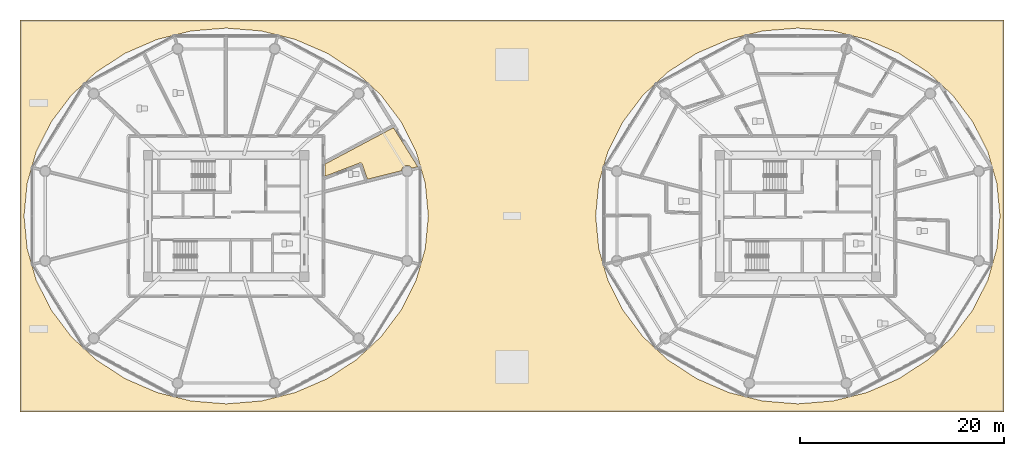
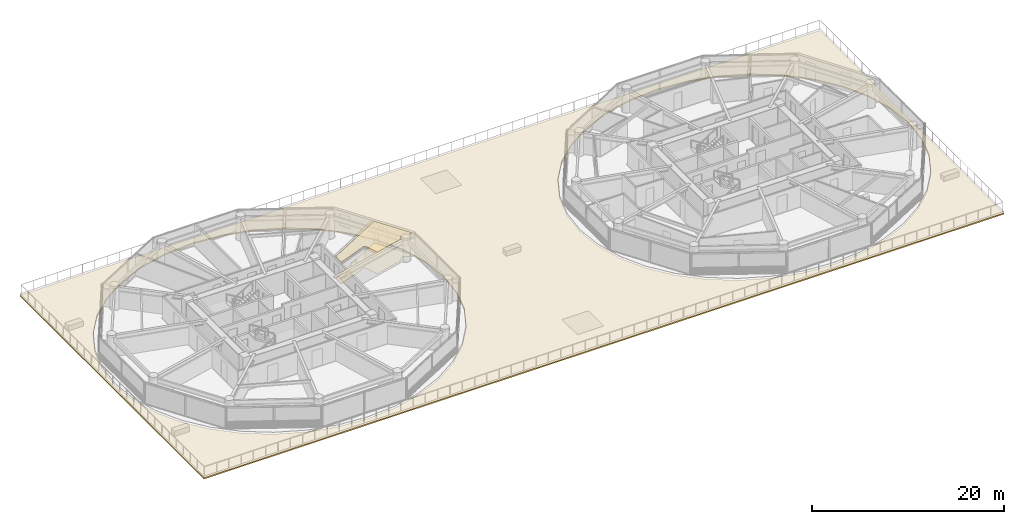
# One storey, part 25 of 32: 3 coverings.
"""IFC4 building model written with IfcOpenShell, lengths in metres."""

from ifc_helpers import new_model, si_unit, direction, frame, origin, place, context, subcontext, project, spatial, polyline, outline, extrude, material, layer, layer_set, type_object, element, save


model = new_model("IFC4")

# Units and contexts
model_context = context("Model", 3, precision=1e-05, world=origin(), true_north=direction((0.0, 1.0)))
body_context = subcontext(model_context, "Body", "Model", "MODEL_VIEW")
ifc_project = project(units=[si_unit("LENGTHUNIT", "METRE"), si_unit("AREAUNIT", "SQUARE_METRE"), si_unit("VOLUMEUNIT", "CUBIC_METRE"), si_unit("PLANEANGLEUNIT", "RADIAN"), si_unit("MASSUNIT", "GRAM", prefix="KILO")], contexts=[model_context])

# Site, building, storey
site_placement = place(None, origin())
site = spatial("IfcSite", under=ifc_project, at=site_placement, CompositionType="ELEMENT")
building_placement = place(site_placement, origin())
building = spatial("IfcBuilding", under=site, at=building_placement, Name="Norrkilde Senior Care Towers", CompositionType="ELEMENT")
storey_placement = place(building_placement, frame((0.0, 0.0, 21.60009765625)))
storey = spatial("IfcBuildingStorey", under=building, at=storey_placement, Name="L05", CompositionType="ELEMENT", Elevation=21.60009765625)

# Coverings
ifc_material_1 = material(Name="Nordic Ash Timber", Category="wood")
ifc_layer_1 = layer(ifc_material_1, 0.044921875)
ifc_layer_set_1 = layer_set([ifc_layer_1], Name="Nordic Ash Timber")
covering_type_1 = type_object("IfcCoveringType", Name="Acoustic Ash Timber Slatted Ceiling 45", PredefinedType="CEILING", material=ifc_layer_set_1)
covering_1_placement = place(storey_placement, frame((0.0, 0.0, 2.744873046875)))
element("IfcCovering", 1, at=covering_1_placement, inside=storey, type_object=covering_type_1, Name="L05 Suspended Ceiling 0137", PredefinedType="CEILING", context=body_context, shape_type="SweptSolid", body=[
    extrude(outline(polyline([(-14.689453125, 5.11279296875), (-14.693359375, 5.11865234375), (-14.700439453125, 5.12841796875), (-14.704833984375, 5.1337890625), (-14.712890625, 5.142822265625), (-14.7177734375, 5.147705078125), (-14.726806640625, 5.15576171875), (-14.732177734375, 5.16015625), (-14.74169921875, 5.167236328125), (-14.74755859375, 5.171142578125), (-14.7578125, 5.17724609375), (-14.76416015625, 5.1806640625), (-14.77490234375, 5.185791015625), (-14.781494140625, 5.188232421875), (-14.792724609375, 5.1923828125), (-14.799560546875, 5.1943359375), (-14.811279296875, 5.197021484375), (-14.818115234375, 5.198486328125), (-14.830078125, 5.199951171875), (-14.8369140625, 5.20068359375), (-14.848876953125, 5.200927734375), (-14.85595703125, 5.200927734375), (-14.867919921875, 5.2001953125), (-14.874755859375, 5.199462890625), (-14.88671875, 5.197509765625), (-14.8935546875, 5.196044921875), (-14.905029296875, 5.19287109375), (-14.911865234375, 5.190673828125), (-14.91748046875, 5.188720703125), (-18.300048828125, 3.899658203125), (-18.300048828125, 5.093017578125), (-18.240234375, 5.125244140625), (-11.614501953125, 8.65234375), (-9.236083984375, 4.826171875), (-9.80859375, 4.6826171875), (-9.8828125, 4.779541015625), (-9.997802734375, 4.86767578125), (-10.131591796875, 4.923095703125), (-10.275146484375, 4.94189453125), (-10.4189453125, 4.923095703125), (-10.552734375, 4.86767578125), (-10.667724609375, 4.779541015625), (-10.755859375, 4.66455078125), (-10.811279296875, 4.530517578125), (-10.824951171875, 4.427978515625), (-14.156982421875, 3.593017578125), (-14.67041015625, 5.0732421875), (-14.67236328125, 5.0791015625), (-14.675048828125, 5.08544921875), (-14.68017578125, 5.096435546875), (-14.683349609375, 5.1025390625), (-14.689453125, 5.11279296875)])), origin(), (0.0, 0.0, 1.0), 0.044921875),
])
ifc_material_2 = material(Name="EPDM Waterproofing and PIR Insulation")
ifc_layer_2 = layer(ifc_material_2, 0.159912109375)
ifc_layer_set_2 = layer_set([ifc_layer_2], Name="EPDM Waterproofing and PIR Insulation")
covering_type_2 = type_object("IfcCoveringType", Name="Insulated EPDM Roof Membrane 160", PredefinedType="ROOFING", material=ifc_layer_set_2)
covering_2_placement = place(storey_placement, frame((0.0, 0.0, -0.39013671875)))
element("IfcCovering", 2, at=covering_2_placement, inside=storey, type_object=covering_type_2, Name="L05 Podium Garden Waterproof Membrane 1", PredefinedType="ROOFING", context=body_context, shape_type="SweptSolid", body=[
    extrude(outline(polyline([(-48.199951171875, -19.199951171875), (-48.199951171875, 19.199951171875), (48.199951171875, 19.199951171875), (48.199951171875, -19.199951171875), (-48.199951171875, -19.199951171875)]), holes=[polyline([(-8.49609375, -3.196533203125), (-8.495849609375, -3.196044921875), (-8.495849609375, -3.195556640625), (-8.195068359375, -0.00048828125), (-8.195068359375, 0.0), (-8.195068359375, 0.00048828125), (-8.495849609375, 3.195556640625), (-8.495849609375, 3.196044921875), (-8.49609375, 3.196533203125), (-9.38916015625, 6.294677734375), (-9.389404296875, 6.294921875), (-9.3896484375, 6.29541015625), (-10.84814453125, 9.2021484375), (-10.848388671875, 9.20263671875), (-10.8486328125, 9.203125), (-12.828369140625, 11.830322265625), (-12.82861328125, 11.83056640625), (-12.828857421875, 11.8310546875), (-15.269287109375, 14.098876953125), (-15.269775390625, 14.09912109375), (-15.27001953125, 14.099365234375), (-18.09716796875, 15.93896484375), (-18.09765625, 15.939208984375), (-18.097900390625, 15.939453125), (-21.22607421875, 17.294921875), (-21.226318359375, 17.295166015625), (-21.226806640625, 17.295166015625), (-24.560546875, 18.125244140625), (-24.56103515625, 18.12548828125), (-24.561279296875, 18.12548828125), (-27.99951171875, 18.405029296875), (-28.0, 18.405029296875), (-28.00048828125, 18.405029296875), (-31.438720703125, 18.12548828125), (-31.43896484375, 18.12548828125), (-31.439453125, 18.125244140625), (-34.773193359375, 17.295166015625), (-34.773681640625, 17.295166015625), (-34.77392578125, 17.294921875), (-37.902099609375, 15.939453125), (-37.90234375, 15.939208984375), (-37.90283203125, 15.93896484375), (-40.72998046875, 14.099365234375), (-40.730224609375, 14.09912109375), (-40.730712890625, 14.098876953125), (-43.171142578125, 11.8310546875), (-43.17138671875, 11.83056640625), (-43.171630859375, 11.830322265625), (-45.1513671875, 9.203125), (-45.151611328125, 9.20263671875), (-45.15185546875, 9.2021484375), (-46.6103515625, 6.29541015625), (-46.610595703125, 6.294921875), (-46.61083984375, 6.294677734375), (-47.50390625, 3.196533203125), (-47.504150390625, 3.196044921875), (-47.504150390625, 3.195556640625), (-47.804931640625, 0.00048828125), (-47.804931640625, 0.0), (-47.804931640625, -0.00048828125), (-47.504150390625, -3.195556640625), (-47.504150390625, -3.196044921875), (-47.50390625, -3.196533203125), (-46.61083984375, -6.294677734375), (-46.610595703125, -6.294921875), (-46.6103515625, -6.29541015625), (-45.15185546875, -9.2021484375), (-45.151611328125, -9.20263671875), (-45.1513671875, -9.203125), (-43.171630859375, -11.830322265625), (-43.17138671875, -11.83056640625), (-43.171142578125, -11.8310546875), (-40.730712890625, -14.098876953125), (-40.730224609375, -14.09912109375), (-40.72998046875, -14.099365234375), (-37.90283203125, -15.93896484375), (-37.90234375, -15.939208984375), (-37.902099609375, -15.939453125), (-34.77392578125, -17.294921875), (-34.773681640625, -17.295166015625), (-34.773193359375, -17.295166015625), (-31.439453125, -18.125244140625), (-31.43896484375, -18.12548828125), (-31.438720703125, -18.12548828125), (-28.00048828125, -18.405029296875), (-28.0, -18.405029296875), (-27.99951171875, -18.405029296875), (-24.561279296875, -18.12548828125), (-24.56103515625, -18.12548828125), (-24.560546875, -18.125244140625), (-21.226806640625, -17.295166015625), (-21.226318359375, -17.295166015625), (-21.22607421875, -17.294921875), (-18.097900390625, -15.939453125), (-18.09765625, -15.939208984375), (-18.09716796875, -15.93896484375), (-15.27001953125, -14.099365234375), (-15.269775390625, -14.09912109375), (-15.269287109375, -14.098876953125), (-12.828857421875, -11.8310546875), (-12.82861328125, -11.83056640625), (-12.828369140625, -11.830322265625), (-10.8486328125, -9.203125), (-10.848388671875, -9.20263671875), (-10.84814453125, -9.2021484375), (-9.3896484375, -6.29541015625), (-9.389404296875, -6.294921875), (-9.38916015625, -6.294677734375), (-8.49609375, -3.196533203125)]), polyline([(47.50390625, -3.196533203125), (47.504150390625, -3.196044921875), (47.504150390625, -3.195556640625), (47.804931640625, -0.00048828125), (47.804931640625, 0.0), (47.804931640625, 0.00048828125), (47.504150390625, 3.195556640625), (47.504150390625, 3.196044921875), (47.50390625, 3.196533203125), (46.61083984375, 6.294677734375), (46.610595703125, 6.294921875), (46.6103515625, 6.29541015625), (45.15185546875, 9.2021484375), (45.151611328125, 9.20263671875), (45.1513671875, 9.203125), (43.171630859375, 11.830322265625), (43.17138671875, 11.83056640625), (43.171142578125, 11.8310546875), (40.730712890625, 14.098876953125), (40.730224609375, 14.09912109375), (40.72998046875, 14.099365234375), (37.90283203125, 15.93896484375), (37.90234375, 15.939208984375), (37.902099609375, 15.939453125), (34.77392578125, 17.294921875), (34.773681640625, 17.295166015625), (34.773193359375, 17.295166015625), (31.439453125, 18.125244140625), (31.43896484375, 18.12548828125), (31.438720703125, 18.12548828125), (28.00048828125, 18.405029296875), (28.0, 18.405029296875), (27.99951171875, 18.405029296875), (24.561279296875, 18.12548828125), (24.56103515625, 18.12548828125), (24.560546875, 18.125244140625), (21.226806640625, 17.295166015625), (21.226318359375, 17.295166015625), (21.22607421875, 17.294921875), (18.097900390625, 15.939453125), (18.09765625, 15.939208984375), (18.09716796875, 15.93896484375), (15.27001953125, 14.099365234375), (15.269775390625, 14.09912109375), (15.269287109375, 14.098876953125), (12.828857421875, 11.8310546875), (12.82861328125, 11.83056640625), (12.828369140625, 11.830322265625), (10.8486328125, 9.203125), (10.848388671875, 9.20263671875), (10.84814453125, 9.2021484375), (9.3896484375, 6.29541015625), (9.389404296875, 6.294921875), (9.38916015625, 6.294677734375), (8.49609375, 3.196533203125), (8.495849609375, 3.196044921875), (8.495849609375, 3.195556640625), (8.195068359375, 0.00048828125), (8.195068359375, 0.0), (8.195068359375, -0.00048828125), (8.495849609375, -3.195556640625), (8.495849609375, -3.196044921875), (8.49609375, -3.196533203125), (9.38916015625, -6.294677734375), (9.389404296875, -6.294921875), (9.3896484375, -6.29541015625), (10.84814453125, -9.2021484375), (10.848388671875, -9.20263671875), (10.8486328125, -9.203125), (12.828369140625, -11.830322265625), (12.82861328125, -11.83056640625), (12.828857421875, -11.8310546875), (15.269287109375, -14.098876953125), (15.269775390625, -14.09912109375), (15.27001953125, -14.099365234375), (18.09716796875, -15.93896484375), (18.09765625, -15.939208984375), (18.097900390625, -15.939453125), (21.22607421875, -17.294921875), (21.226318359375, -17.295166015625), (21.226806640625, -17.295166015625), (24.560546875, -18.125244140625), (24.56103515625, -18.12548828125), (24.561279296875, -18.12548828125), (27.99951171875, -18.405029296875), (28.0, -18.405029296875), (28.00048828125, -18.405029296875), (31.438720703125, -18.12548828125), (31.43896484375, -18.12548828125), (31.439453125, -18.125244140625), (34.773193359375, -17.295166015625), (34.773681640625, -17.295166015625), (34.77392578125, -17.294921875), (37.902099609375, -15.939453125), (37.90234375, -15.939208984375), (37.90283203125, -15.93896484375), (40.72998046875, -14.099365234375), (40.730224609375, -14.09912109375), (40.730712890625, -14.098876953125), (43.171142578125, -11.8310546875), (43.17138671875, -11.83056640625), (43.171630859375, -11.830322265625), (45.1513671875, -9.203125), (45.151611328125, -9.20263671875), (45.15185546875, -9.2021484375), (46.6103515625, -6.29541015625), (46.610595703125, -6.294921875), (46.61083984375, -6.294677734375), (47.50390625, -3.196533203125)])]), origin(), (0.0, 0.0, 1.0), 0.16015625),
])
ifc_material_3 = material(Name="Slip-Resistant Porcelain Stone", Category="masonry")
ifc_layer_3 = layer(ifc_material_3, 0.02490234375)
ifc_layer_set_3 = layer_set([ifc_layer_3], Name="Slip-Resistant Porcelain Stone")
covering_type_3 = type_object("IfcCoveringType", Name="Slip-Resistant Porcelain Flooring 25", PredefinedType="FLOORING", material=ifc_layer_set_3)
covering_3_placement = place(storey_placement, origin())
element("IfcCovering", 3, at=covering_3_placement, inside=storey, type_object=covering_type_3, Name="L05 Floor Finish 0137", PredefinedType="FLOORING", context=body_context, shape_type="SweptSolid", body=[
    extrude(outline(polyline([(-14.689453125, 5.11279296875), (-14.693359375, 5.11865234375), (-14.700439453125, 5.12841796875), (-14.704833984375, 5.1337890625), (-14.712890625, 5.142822265625), (-14.7177734375, 5.147705078125), (-14.726806640625, 5.15576171875), (-14.732177734375, 5.16015625), (-14.74169921875, 5.167236328125), (-14.74755859375, 5.171142578125), (-14.7578125, 5.17724609375), (-14.76416015625, 5.1806640625), (-14.77490234375, 5.185791015625), (-14.781494140625, 5.188232421875), (-14.792724609375, 5.1923828125), (-14.799560546875, 5.1943359375), (-14.811279296875, 5.197021484375), (-14.818115234375, 5.198486328125), (-14.830078125, 5.199951171875), (-14.8369140625, 5.20068359375), (-14.848876953125, 5.200927734375), (-14.85595703125, 5.200927734375), (-14.867919921875, 5.2001953125), (-14.874755859375, 5.199462890625), (-14.88671875, 5.197509765625), (-14.8935546875, 5.196044921875), (-14.905029296875, 5.19287109375), (-14.911865234375, 5.190673828125), (-14.91748046875, 5.188720703125), (-18.300048828125, 3.899658203125), (-18.300048828125, 5.093017578125), (-18.240234375, 5.125244140625), (-11.614501953125, 8.65234375), (-9.236083984375, 4.826171875), (-9.80859375, 4.6826171875), (-9.8828125, 4.779541015625), (-9.997802734375, 4.86767578125), (-10.131591796875, 4.923095703125), (-10.275146484375, 4.94189453125), (-10.4189453125, 4.923095703125), (-10.552734375, 4.86767578125), (-10.667724609375, 4.779541015625), (-10.755859375, 4.66455078125), (-10.811279296875, 4.530517578125), (-10.824951171875, 4.427978515625), (-14.156982421875, 3.593017578125), (-14.67041015625, 5.0732421875), (-14.67236328125, 5.0791015625), (-14.675048828125, 5.08544921875), (-14.68017578125, 5.096435546875), (-14.683349609375, 5.1025390625), (-14.689453125, 5.11279296875)])), origin(), (0.0, 0.0, 1.0), 0.02490234375),
])

save(model, "model.ifc")
